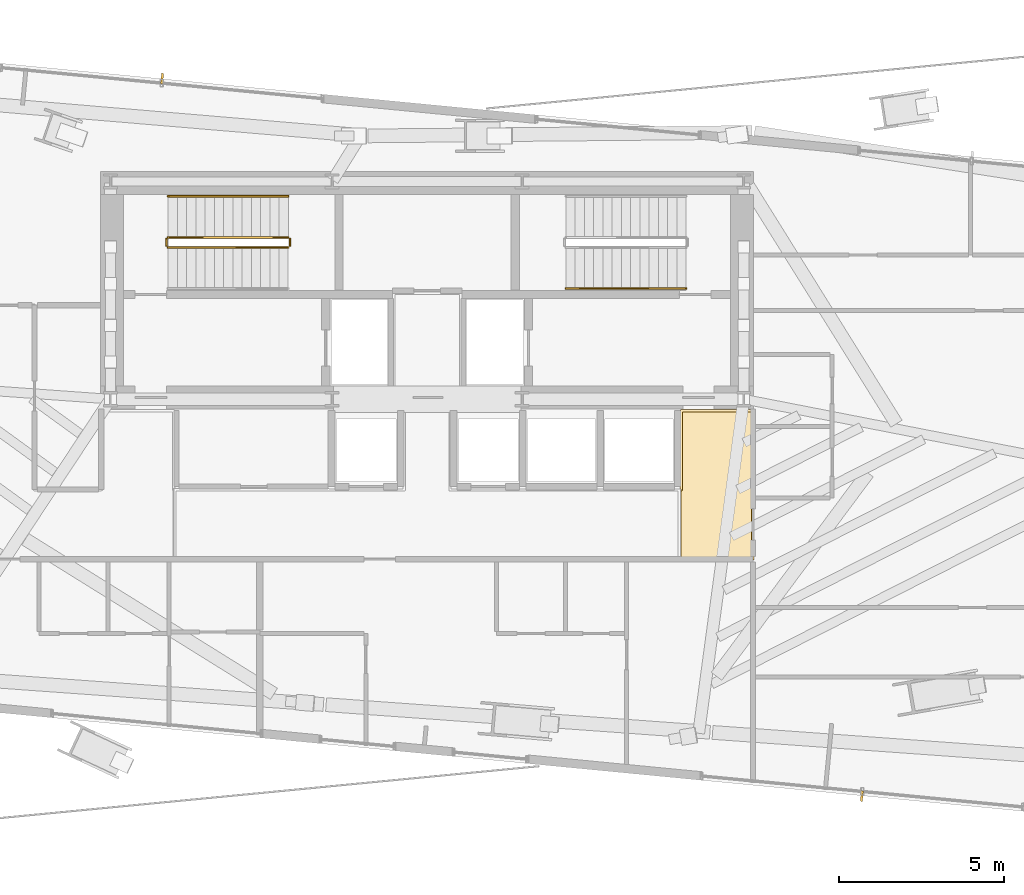
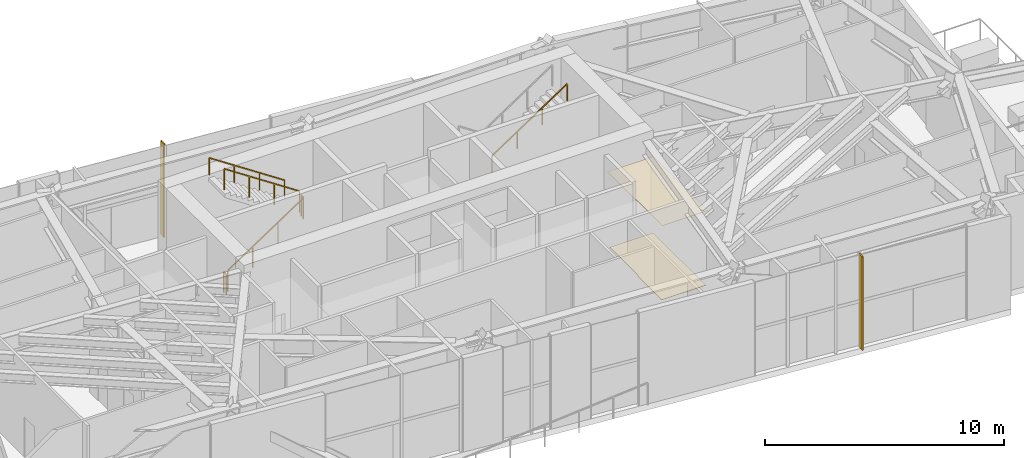
# One storey, part 21 of 23: 6 railings, 2 coverings, 2 shading devices.
"""IFC4 building model written with IfcOpenShell, lengths in metres."""

from ifc_helpers import new_model, si_unit, direction, frame, origin, origin_2d, place, context, subcontext, project, spatial, polyline, rectangle, outline, extrude, source, transform, mapped, material, layer, layer_set, type_object, type_shapes, element, save


model = new_model("IFC4")

# Units and contexts
model_context = context("Model", 3, precision=1e-05, world=origin(), true_north=direction((0.0, 1.0)))
body_context = subcontext(model_context, "Body", "Model", "MODEL_VIEW")
ifc_project = project(units=[si_unit("LENGTHUNIT", "METRE"), si_unit("AREAUNIT", "SQUARE_METRE"), si_unit("VOLUMEUNIT", "CUBIC_METRE"), si_unit("PLANEANGLEUNIT", "RADIAN"), si_unit("MASSUNIT", "GRAM", prefix="KILO")], contexts=[model_context])

# Site, building, storey
site_placement = place(None, origin())
site = spatial("IfcSite", under=ifc_project, at=site_placement, CompositionType="ELEMENT")
building_placement = place(site_placement, origin())
building = spatial("IfcBuilding", under=site, at=building_placement, Name="Astriad Promenade Condominiums", CompositionType="ELEMENT")
storey_placement = place(building_placement, frame((0.0, 0.0, 119.39990234375)))
storey = spatial("IfcBuildingStorey", under=building, at=storey_placement, Name="L34", CompositionType="ELEMENT", Elevation=119.39990234375)

# Coverings
ifc_material_1 = material(Name="Mineral-Fibre Acoustic Ceiling Tile")
ifc_layer_1 = layer(ifc_material_1, 0.02490234375)
ifc_layer_set_1 = layer_set([ifc_layer_1], Name="Mineral-Fibre Acoustic Ceiling Tile")
covering_type_1 = type_object("IfcCoveringType", Name="COV-CEIL-ACOUSTIC-25", PredefinedType="CEILING", material=ifc_layer_set_1)
covering_1_placement = place(storey_placement, frame((0.0, 0.0, 3.835205078125)))
element("IfcCovering", 1, at=covering_1_placement, inside=storey, type_object=covering_type_1, Name="CEIL-L34-COR-1", PredefinedType="CEILING", context=body_context, shape_type="SweptSolid", body=[
    extrude(outline(polyline([(43.669921875, 17.050048828125), (43.670166015625, 17.052978515625), (43.670654296875, 17.055908203125), (43.67138671875, 17.05859375), (43.67236328125, 17.0615234375), (43.673583984375, 17.064208984375), (43.675048828125, 17.066650390625), (43.6767578125, 17.069091796875), (43.6787109375, 17.0712890625), (43.680908203125, 17.0732421875), (43.683349609375, 17.074951171875), (43.685791015625, 17.076416015625), (43.6884765625, 17.07763671875), (43.69140625, 17.07861328125), (43.694091796875, 17.079345703125), (43.697021484375, 17.079833984375), (43.699951171875, 17.080078125), (45.8798828125, 17.080078125), (45.8828125, 17.079833984375), (45.885986328125, 17.079345703125), (45.888671875, 17.07861328125), (45.8916015625, 17.07763671875), (45.89404296875, 17.076416015625), (45.896728515625, 17.074951171875), (45.89892578125, 17.0732421875), (45.901123046875, 17.0712890625), (45.9033203125, 17.069091796875), (45.90478515625, 17.066650390625), (45.906494140625, 17.064208984375), (45.90771484375, 17.0615234375), (45.90869140625, 17.05859375), (45.909423828125, 17.055908203125), (45.909912109375, 17.052978515625), (45.909912109375, 17.050048828125), (45.909912109375, 12.550048828125), (45.909912109375, 12.547119140625), (45.909423828125, 12.544189453125), (45.90869140625, 12.541259765625), (45.90771484375, 12.53857421875), (45.906494140625, 12.535888671875), (45.90478515625, 12.533203125), (45.9033203125, 12.531005859375), (45.901123046875, 12.52880859375), (45.89892578125, 12.52685546875), (45.896728515625, 12.525146484375), (45.89404296875, 12.5234375), (45.8916015625, 12.522216796875), (45.888671875, 12.521240234375), (45.885986328125, 12.5205078125), (45.8828125, 12.52001953125), (45.8798828125, 12.52001953125), (43.68994140625, 12.52001953125), (43.69091796875, 12.521484375), (43.692138671875, 12.523193359375), (43.693603515625, 12.525634765625), (43.694580078125, 12.52734375), (43.69580078125, 12.530029296875), (43.696533203125, 12.53173828125), (43.697509765625, 12.53466796875), (43.697998046875, 12.536376953125), (43.69873046875, 12.539306640625), (43.69921875, 12.541259765625), (43.69970703125, 12.544189453125), (43.69970703125, 12.546142578125), (43.699951171875, 12.549072265625), (43.699951171875, 12.550048828125), (43.699951171875, 14.64990234375), (43.699951171875, 14.65087890625), (43.69970703125, 14.65380859375), (43.69970703125, 14.656005859375), (43.69921875, 14.65869140625), (43.69873046875, 14.66064453125), (43.697998046875, 14.66357421875), (43.697509765625, 14.665283203125), (43.696533203125, 14.668212890625), (43.69580078125, 14.669921875), (43.694580078125, 14.672607421875), (43.693603515625, 14.67431640625), (43.692138671875, 14.677001953125), (43.69091796875, 14.6787109375), (43.689208984375, 14.680908203125), (43.68798828125, 14.6826171875), (43.68603515625, 14.6845703125), (43.6845703125, 14.68603515625), (43.6826171875, 14.68798828125), (43.680908203125, 14.689208984375), (43.6787109375, 14.69091796875), (43.677001953125, 14.692138671875), (43.67431640625, 14.693603515625), (43.672607421875, 14.694580078125), (43.669921875, 14.69580078125), (43.669921875, 14.69580078125), (43.669921875, 17.050048828125)])), origin(), (0.0, 0.0, 1.0), 0.02490234375),
])
ifc_material_2 = material(Name="Polished Lakefront Terrazzo Flooring")
ifc_layer_2 = layer(ifc_material_2, 0.02001953125)
ifc_layer_set_2 = layer_set([ifc_layer_2], Name="Polished Lakefront Terrazzo Flooring")
covering_type_2 = type_object("IfcCoveringType", Name="COV-FLOR-TERRAZZO-20", PredefinedType="FLOORING", material=ifc_layer_set_2)
covering_2_placement = place(storey_placement, origin())
element("IfcCovering", 2, at=covering_2_placement, inside=storey, type_object=covering_type_2, Name="FLR-L34-COR-1", PredefinedType="FLOORING", context=body_context, shape_type="SweptSolid", body=[
    extrude(outline(polyline([(43.699951171875, 12.590087890625), (43.699951171875, 14.610107421875), (43.703857421875, 14.610107421875), (43.707763671875, 14.61083984375), (43.711669921875, 14.61181640625), (43.71533203125, 14.613037109375), (43.718994140625, 14.61474609375), (43.72216796875, 14.61669921875), (43.725341796875, 14.619140625), (43.728271484375, 14.62158203125), (43.73095703125, 14.62451171875), (43.7333984375, 14.627685546875), (43.7353515625, 14.631103515625), (43.737060546875, 14.634765625), (43.73828125, 14.638427734375), (43.7392578125, 14.64208984375), (43.73974609375, 14.64599609375), (43.739990234375, 14.64990234375), (43.739990234375, 17.010009765625), (45.840087890625, 17.010009765625), (45.840087890625, 12.590087890625), (43.699951171875, 12.590087890625)])), origin(), (0.0, 0.0, 1.0), 0.02001953125),
])

# Shading devices
ifc_material_3 = material(Name="Anodised aluminium 6063-T6 Black Fin", Category="aluminium")
shading_device_type = type_object("IfcShadingDeviceType", Name="FIN-BLACK-260", PredefinedType="USERDEFINED", material=ifc_material_3)
shared_shape_1 = source(origin(), body_context, "Body", "SweptSolid", [
    extrude(rectangle(XDim=0.06494140625, YDim=0.320068359375, at=origin_2d()), origin(), (0.0, 0.0, 1.0), 4.780029296875),
])
type_shapes(shading_device_type, [shared_shape_1])
for number, where, z_axis, x_axis, name in (
    (3, (27.966796875, 27.12060546875, 0.0), (0.0, 0.0, 1.0), (0.995396198367, -0.09584575252, 0.0), "CW-L34-N-2-FIN-01"),
    (4, (49.1796875, 5.367431640625, 0.0), (0.0, 0.0, 1.0), (-0.995396198367, 0.09584575252, 0.0), "CW-L34-S-1-FIN-01"),
):
    element("IfcShadingDevice", number, at=place(storey_placement, frame(where, z_axis=z_axis, x_axis=x_axis)), inside=storey, type_object=shading_device_type, Name=name, ObjectType="FIN", PredefinedType="USERDEFINED", context=body_context, shape_type="MappedRepresentation", body=[
        mapped(shared_shape_1, transform((0.0, 0.0, 0.0), scale=1.0)),
    ])

# Railings
ifc_material_4 = material(Name="Painted Galvanised Steel Guardrail", Category="steel")
railing_type_1 = type_object("IfcRailingType", Name="GRD-STAIR-1100", PredefinedType="GUARDRAIL", material=ifc_material_4)
shared_shape_2 = source(origin(), body_context, "Body", "SweptSolid", [
    extrude(rectangle(XDim=0.048095703125, YDim=0.048095703125, at=origin_2d()), frame((0.0, 0.0, 1.076171875), z_axis=(0.0, 1.0, 0.0), x_axis=(-1.0, 0.0, 0.0)), (0.0, 0.0, 1.0), 0.199951171875),
    extrude(rectangle(XDim=0.0419921875, YDim=0.0419921875, at=origin_2d()), origin(), (0.0, 0.0, 1.0), 1.052001953125),
    extrude(rectangle(XDim=0.0419921875, YDim=0.0419921875, at=origin_2d()), frame((0.0, 0.199951171875, 0.0)), (0.0, 0.0, 1.0), 1.052001953125),
])
for number, where, name in (
    (5, (31.840087890625, 22.050048828125, 2.60009765625), "L34 ST-1 stair guard 2"),
    (6, (28.10009765625, 22.050048828125, 0.0), "L34 ST-1 stair guard 4"),
):
    element("IfcRailing", number, at=place(storey_placement, frame(where)), inside=storey, type_object=railing_type_1, Name=name, PredefinedType="GUARDRAIL", context=body_context, shape_type="MappedRepresentation", body=[
        mapped(shared_shape_2, transform((0.0, 0.0, 0.0), scale=1.0)),
    ])
shared_shape_3 = source(origin(), body_context, "Body", "SweptSolid", [
    extrude(rectangle(XDim=0.048095703125, YDim=0.048095703125, at=origin_2d()), frame((0.0, 0.0, 1.076171875), z_axis=(0.833363587613, 0.0, 0.552725185641), x_axis=(0.0, 1.0, 0.0)), (0.0, 0.0, 1.0), 4.367919921875),
    extrude(rectangle(XDim=0.0419921875, YDim=0.0419921875, at=origin_2d()), origin(), (0.0, 0.0, 1.0), 1.052001953125),
    extrude(rectangle(XDim=0.0419921875, YDim=0.0419921875, at=origin_2d()), frame((1.21337890625, 0.0, 0.8046875)), (0.0, 0.0, 1.0), 1.052001953125),
    extrude(rectangle(XDim=0.0419921875, YDim=0.0419921875, at=origin_2d()), frame((2.4267578125, 0.0, 1.609619140625)), (0.0, 0.0, 1.0), 1.052001953125),
    extrude(rectangle(XDim=0.0419921875, YDim=0.0419921875, at=origin_2d()), frame((3.64013671875, 0.0, 2.414306640625)), (0.0, 0.0, 1.0), 1.052001953125),
])
railing_1_placement = place(storey_placement, frame((28.14990234375, 22.0, 0.185791015625)))
element("IfcRailing", 7, at=railing_1_placement, inside=storey, type_object=railing_type_1, Name="L34 ST-1 stair guard 1", PredefinedType="GUARDRAIL", context=body_context, shape_type="MappedRepresentation", body=[
    mapped(shared_shape_3, transform((0.0, 0.0, 0.0), scale=1.0)),
])
shared_shape_4 = source(origin(), body_context, "Body", "SweptSolid", [
    extrude(rectangle(XDim=0.048095703125, YDim=0.048095703125, at=origin_2d()), frame((0.0, 0.0, 1.076171875), z_axis=(-0.833363587613, 0.0, 0.552725185641), x_axis=(0.0, -1.0, 0.0)), (0.0, 0.0, 1.0), 4.367919921875),
    extrude(rectangle(XDim=0.0419921875, YDim=0.0419921875, at=origin_2d()), origin(), (0.0, 0.0, 1.0), 1.052001953125),
    extrude(rectangle(XDim=0.0419921875, YDim=0.0419921875, at=origin_2d()), frame((-1.21337890625, 0.0, 0.8046875)), (0.0, 0.0, 1.0), 1.052001953125),
    extrude(rectangle(XDim=0.0419921875, YDim=0.0419921875, at=origin_2d()), frame((-2.4267578125, 0.0, 1.609619140625)), (0.0, 0.0, 1.0), 1.052001953125),
    extrude(rectangle(XDim=0.0419921875, YDim=0.0419921875, at=origin_2d()), frame((-3.64013671875, 0.0, 2.414306640625)), (0.0, 0.0, 1.0), 1.052001953125),
])
type_shapes(railing_type_1, [shared_shape_2, shared_shape_3, shared_shape_4])
railing_2_placement = place(storey_placement, frame((31.7900390625, 22.300048828125, 2.785888671875)))
element("IfcRailing", 8, at=railing_2_placement, inside=storey, type_object=railing_type_1, Name="L34 ST-1 stair guard 3", PredefinedType="GUARDRAIL", context=body_context, shape_type="MappedRepresentation", body=[
    mapped(shared_shape_4, transform((0.0, 0.0, 0.0), scale=1.0)),
])
ifc_material_5 = material(Name="Brushed Stainless Steel Handrail", Category="steel")
railing_type_2 = type_object("IfcRailingType", Name="HRL-STAIR-920", PredefinedType="HANDRAIL", material=ifc_material_5)
shared_shape_5 = source(origin(), body_context, "Body", "SweptSolid", [
    extrude(rectangle(XDim=0.048095703125, YDim=0.048095703125, at=origin_2d()), frame((0.0, 0.0, 0.8759765625), z_axis=(0.833363587613, 0.0, 0.552725185641), x_axis=(0.0, 1.0, 0.0)), (0.0, 0.0, 1.0), 4.367919921875),
    extrude(rectangle(XDim=0.0419921875, YDim=0.0419921875, at=origin_2d()), origin(), (0.0, 0.0, 1.0), 0.851806640625),
    extrude(rectangle(XDim=0.0419921875, YDim=0.0419921875, at=origin_2d()), frame((1.21337890625, 0.0, 0.8046875)), (0.0, 0.0, 1.0), 0.851806640625),
    extrude(rectangle(XDim=0.0419921875, YDim=0.0419921875, at=origin_2d()), frame((2.4267578125, 0.0, 1.609619140625)), (0.0, 0.0, 1.0), 0.851806640625),
    extrude(rectangle(XDim=0.0419921875, YDim=0.0419921875, at=origin_2d()), frame((3.64013671875, 0.0, 2.414306640625)), (0.0, 0.0, 1.0), 0.851806640625),
])
railing_3_placement = place(storey_placement, frame((40.2099609375, 20.75, 2.785888671875)))
element("IfcRailing", 9, at=railing_3_placement, inside=storey, type_object=railing_type_2, Name="L34 ST-2 stair handrail 2", PredefinedType="HANDRAIL", context=body_context, shape_type="MappedRepresentation", body=[
    mapped(shared_shape_5, transform((0.0, 0.0, 0.0), scale=1.0)),
])
shared_shape_6 = source(origin(), body_context, "Body", "SweptSolid", [
    extrude(rectangle(XDim=0.048095703125, YDim=0.048095703125, at=origin_2d()), frame((0.0, 0.0, 0.8759765625), z_axis=(-0.833363587613, 0.0, 0.552725185641), x_axis=(0.0, -1.0, 0.0)), (0.0, 0.0, 1.0), 4.367919921875),
    extrude(rectangle(XDim=0.0419921875, YDim=0.0419921875, at=origin_2d()), origin(), (0.0, 0.0, 1.0), 0.851806640625),
    extrude(rectangle(XDim=0.0419921875, YDim=0.0419921875, at=origin_2d()), frame((-1.21337890625, 0.0, 0.8046875)), (0.0, 0.0, 1.0), 0.851806640625),
    extrude(rectangle(XDim=0.0419921875, YDim=0.0419921875, at=origin_2d()), frame((-2.4267578125, 0.0, 1.609619140625)), (0.0, 0.0, 1.0), 0.851806640625),
    extrude(rectangle(XDim=0.0419921875, YDim=0.0419921875, at=origin_2d()), frame((-3.64013671875, 0.0, 2.414306640625)), (0.0, 0.0, 1.0), 0.851806640625),
])
type_shapes(railing_type_2, [shared_shape_5, shared_shape_6])
railing_4_placement = place(storey_placement, frame((31.7900390625, 23.550048828125, 2.785888671875)))
element("IfcRailing", 10, at=railing_4_placement, inside=storey, type_object=railing_type_2, Name="L34 ST-1 stair handrail 2", PredefinedType="HANDRAIL", context=body_context, shape_type="MappedRepresentation", body=[
    mapped(shared_shape_6, transform((0.0, 0.0, 0.0), scale=1.0)),
])

save(model, "model.ifc")
